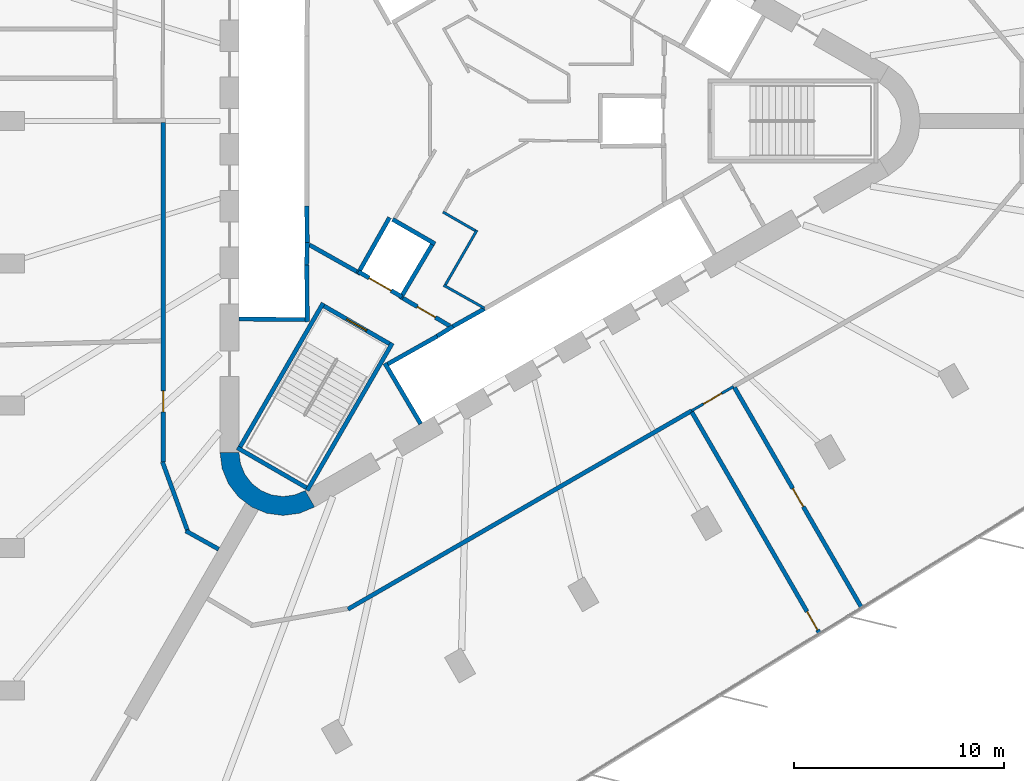
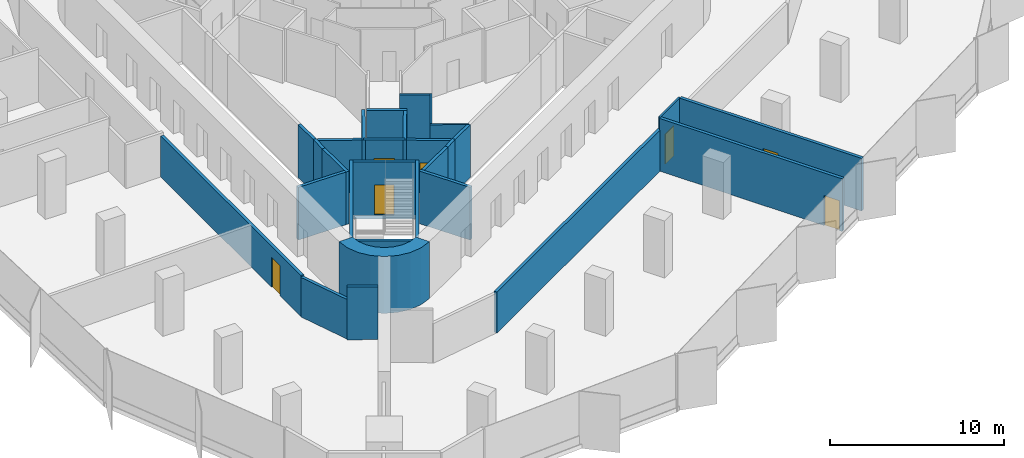
# One storey, part 8 of 14: 29 walls, 7 doors, 7 openings.
"""IFC4 building model written with IfcOpenShell, lengths in metres."""

from ifc_helpers import new_model, si_unit, direction, frame, frame_2d, origin, place, context, subcontext, project, spatial, polyline, rectangle, outline, extrude, material, layer, layer_set, type_object, element, fill, save


model = new_model("IFC4")

# Units and contexts
model_context = context("Model", 3, precision=1e-05, world=origin(), true_north=direction((0.0, 1.0)))
body_context = subcontext(model_context, "Body", "Model", "MODEL_VIEW")
ifc_project = project(units=[si_unit("LENGTHUNIT", "METRE"), si_unit("AREAUNIT", "SQUARE_METRE"), si_unit("VOLUMEUNIT", "CUBIC_METRE"), si_unit("PLANEANGLEUNIT", "RADIAN"), si_unit("MASSUNIT", "GRAM", prefix="KILO")], contexts=[model_context])

# Site, building, storey
site_placement = place(None, origin())
site = spatial("IfcSite", under=ifc_project, at=site_placement, CompositionType="ELEMENT")
building_placement = place(site_placement, origin())
building = spatial("IfcBuilding", under=site, at=building_placement, Name="Tanit Gate Tower", CompositionType="ELEMENT")
storey_placement = place(building_placement, frame((0.0, 0.0, 217.199951171875)))
storey = spatial("IfcBuildingStorey", under=building, at=storey_placement, Name="L48", CompositionType="ELEMENT", Elevation=217.199951171875)

# Walls
ifc_material_1 = material(Name="Concrete C50/60", Category="concrete")
ifc_layer_1 = layer(ifc_material_1, 0.89990234375)
ifc_layer_set_1 = layer_set([ifc_layer_1], Name="CORE WALL 900 C50/60")
wall_type_1 = type_object("IfcWallType", Name="CORE WALL 900 C50/60", PredefinedType="SHEAR", material=ifc_layer_set_1)
wall_1_placement = place(storey_placement, origin())
element("IfcWall", 1, at=wall_1_placement, inside=storey, type_object=wall_type_1, Name="CORE WALL CORNER", PredefinedType="SHEAR", context=body_context, shape_type="SweptSolid", body=[
    extrude(outline(polyline([(-12.10009765625, -15.76171875), (-11.997802734375, -16.5380859375), (-11.697998046875, -17.26171875), (-11.22119140625, -17.883056640625), (-10.60009765625, -18.359619140625), (-9.87646484375, -18.659423828125), (-9.10009765625, -18.76171875), (-8.323486328125, -18.659423828125), (-7.60009765625, -18.359619140625), (-8.050048828125, -17.580322265625), (-8.556396484375, -17.7900390625), (-9.10009765625, -17.86181640625), (-9.6435546875, -17.7900390625), (-10.14990234375, -17.580322265625), (-10.5849609375, -17.24658203125), (-10.918701171875, -16.811767578125), (-11.12841796875, -16.30517578125), (-11.199951171875, -15.76171875), (-12.10009765625, -15.76171875)])), origin(), (0.0, 0.0, 1.0), 4.0),
])
ifc_material_2 = material(Name="Fire-rated gypsum board partition")
ifc_layer_2 = layer(ifc_material_2, 0.199951171875)
ifc_layer_set_2 = layer_set([ifc_layer_2], Name="INT-WALL-COMPARTMENT")
wall_type_2 = type_object("IfcWallType", Name="INT-WALL-COMPARTMENT", PredefinedType="PARTITIONING", material=ifc_layer_set_2)
wall_2_placement = place(storey_placement, frame((-7.84912109375, -5.893798828125, 0.0), z_axis=(0.0, 0.0, 1.0), x_axis=(0.871340486379, -0.490678873396, 0.0)))
element("IfcWall", 2, at=wall_2_placement, inside=storey, type_object=wall_type_2, Name="Wall Compartment W064", PredefinedType="PARTITIONING", context=body_context, shape_type="SweptSolid", body=[
    extrude(rectangle(XDim=2.580810546875, YDim=0.199951171875, at=frame_2d((1.29052734375, 0.0))), origin(), (0.0, 0.0, 1.0), 3.699951171875),
])

# Wall, opening, door
wall_3_placement = place(storey_placement, frame((-3.400634765625, -8.43017578125, 0.0), z_axis=(0.0, 0.0, 1.0), x_axis=(0.860598681535, -0.509283721849, 0.0)))
wall_3 = element("IfcWall", 3, at=wall_3_placement, inside=storey, type_object=wall_type_2, Name="Wall Compartment W065", PredefinedType="PARTITIONING", context=body_context, shape_type="SweptSolid", body=[
    extrude(rectangle(XDim=2.5810546875, YDim=0.199951171875, at=frame_2d((1.29052734375, 0.0))), origin(), (0.0, 0.0, 1.0), 3.699951171875),
])
opening_1_placement = place(wall_3_placement, frame((0.79052734375, 0.0, 0.0)))
opening_1 = element("IfcOpeningElement", 4, at=opening_1_placement, cuts=wall_3, Name="Opening F10-S13-08", PredefinedType="OPENING", context=body_context, shape_type="SweptSolid", body=[
    extrude(rectangle(XDim=1.0, YDim=2.10009765625, at=frame_2d((0.5, 1.050048828125))), frame((0.0, 0.10986328125, 0.0), z_axis=(0.0, -1.0, 0.0), x_axis=(1.0, 0.0, 0.0)), (0.0, 0.0, 1.0), 0.219970703125),
])
ifc_material_3 = material(Name="Fire-rated steel door leaf", Category="steel")
door_type_1 = type_object("IfcDoorType", Name="INT-DOOR-FIRE-1000", OperationType="NOTDEFINED", PredefinedType="USERDEFINED", material=ifc_material_3)
door_1_placement = place(opening_1_placement, origin())
door_1 = element("IfcDoor", 5, at=door_1_placement, inside=storey, type_object=door_type_1, Name="Door F10-S13-08", ObjectType="FIRE DOOR", OperationType="SINGLE_SWING_LEFT", OverallHeight=2.10009765625, OverallWidth=1.0, PredefinedType="USERDEFINED", context=body_context, shape_type="SweptSolid", body=[
    extrude(rectangle(XDim=1.0, YDim=2.10009765625, at=frame_2d((0.5, 1.050048828125))), frame((0.0, 0.02490234375, 0.0), z_axis=(0.0, -1.0, 0.0), x_axis=(1.0, 0.0, 0.0)), (0.0, 0.0, 1.0), 0.050048828125),
])
fill(opening_1, door_1)

# Walls
wall_4_placement = place(storey_placement, frame((-13.722412109375, -19.499267578125, 0.0), z_axis=(0.0, 0.0, 1.0), x_axis=(0.873381780332, -0.487036205824, 0.0)))
element("IfcWall", 6, at=wall_4_placement, inside=storey, type_object=wall_type_2, Name="Wall Compartment W097", PredefinedType="PARTITIONING", context=body_context, shape_type="SweptSolid", body=[
    extrude(rectangle(XDim=1.78466796875, YDim=0.199951171875, at=frame_2d((0.892333984375, 0.0))), origin(), (0.0, 0.0, 1.0), 3.699951171875),
])
wall_5_placement = place(storey_placement, frame((-14.834228515625, -16.22314453125, 0.0), z_axis=(0.0, 0.0, 1.0), x_axis=(0.342017717312, -0.939693503779, 0.0)))
element("IfcWall", 7, at=wall_5_placement, inside=storey, type_object=wall_type_2, Name="Wall Compartment W098", PredefinedType="PARTITIONING", context=body_context, shape_type="SweptSolid", body=[
    extrude(rectangle(XDim=3.4970703125, YDim=0.199951171875, at=frame_2d((1.74853515625, 0.0))), origin(), (0.0, 0.0, 1.0), 2.780029296875),
])

# Wall, opening, door
wall_6_placement = place(storey_placement, frame((-14.800048828125, -0.070068359375, 0.0), z_axis=(0.0, 0.0, 1.0), x_axis=(0.0, -1.0, 0.0)))
wall_6 = element("IfcWall", 8, at=wall_6_placement, inside=storey, type_object=wall_type_2, Name="Wall Compartment W100", PredefinedType="PARTITIONING", context=body_context, shape_type="SweptSolid", body=[
    extrude(rectangle(XDim=16.14697265625, YDim=0.199951171875, at=frame_2d((8.073486328125, 0.0))), origin(), (0.0, 0.0, 1.0), 2.880126953125),
])
opening_2_placement = place(wall_6_placement, frame((12.765380859375, 0.0, 0.0)))
opening_2 = element("IfcOpeningElement", 9, at=opening_2_placement, cuts=wall_6, Name="Opening F10-S13-26", PredefinedType="OPENING", context=body_context, shape_type="SweptSolid", body=[
    extrude(rectangle(XDim=1.0, YDim=2.10009765625, at=frame_2d((0.5, 1.050048828125))), frame((0.0, 0.10986328125, 0.0), z_axis=(0.0, -1.0, 0.0), x_axis=(1.0, 0.0, 0.0)), (0.0, 0.0, 1.0), 0.219970703125),
])
door_2_placement = place(opening_2_placement, origin())
door_2 = element("IfcDoor", 10, at=door_2_placement, inside=storey, type_object=door_type_1, Name="Door F10-S13-26", ObjectType="FIRE DOOR", OperationType="SINGLE_SWING_LEFT", OverallHeight=2.10009765625, OverallWidth=1.0, PredefinedType="USERDEFINED", context=body_context, shape_type="SweptSolid", body=[
    extrude(rectangle(XDim=1.0, YDim=2.10009765625, at=frame_2d((0.5, 1.050048828125))), frame((0.0, 0.02490234375, 0.0), z_axis=(0.0, -1.0, 0.0), x_axis=(1.0, 0.0, 0.0)), (0.0, 0.0, 1.0), 0.050048828125),
])
fill(opening_2, door_2)

# Wall
wall_7_placement = place(storey_placement, frame((-6.018798828125, -23.220458984375, 0.0), z_axis=(0.0, 0.0, 1.0), x_axis=(0.86602143297, 0.50000687759, 0.0)))
element("IfcWall", 11, at=wall_7_placement, inside=storey, type_object=wall_type_2, Name="Wall Compartment W113", PredefinedType="PARTITIONING", context=body_context, shape_type="SweptSolid", body=[
    extrude(rectangle(XDim=18.872802734375, YDim=0.199951171875, at=frame_2d((9.4365234375, 0.0))), origin(), (0.0, 0.0, 1.0), 2.880126953125),
])

# Wall, opening, door
wall_8_placement = place(storey_placement, frame((18.41162109375, -23.149658203125, 0.0), z_axis=(0.0, 0.0, 1.0), x_axis=(-0.500010196161, 0.866019516948, 0.0)))
wall_8 = element("IfcWall", 12, at=wall_8_placement, inside=storey, type_object=wall_type_2, Name="Wall Compartment W134", PredefinedType="PARTITIONING", context=body_context, shape_type="SweptSolid", body=[
    extrude(rectangle(XDim=12.093994140625, YDim=0.199951171875, at=frame_2d((6.046875, 0.0))), origin(), (0.0, 0.0, 1.0), 3.699951171875),
])
opening_3_placement = place(wall_8_placement, frame((5.547119140625, 0.0, 0.0)))
opening_3 = element("IfcOpeningElement", 13, at=opening_3_placement, cuts=wall_8, Name="Opening F10-S13-32", PredefinedType="OPENING", context=body_context, shape_type="SweptSolid", body=[
    extrude(rectangle(XDim=1.0, YDim=2.10009765625, at=frame_2d((0.5, 1.050048828125))), frame((0.0, 0.10986328125, 0.0), z_axis=(0.0, -1.0, 0.0), x_axis=(1.0, 0.0, 0.0)), (0.0, 0.0, 1.0), 0.219970703125),
])
door_3_placement = place(opening_3_placement, origin())
door_3 = element("IfcDoor", 14, at=door_3_placement, inside=storey, type_object=door_type_1, Name="Door F10-S13-32", ObjectType="FIRE DOOR", OperationType="SINGLE_SWING_LEFT", OverallHeight=2.10009765625, OverallWidth=1.0, PredefinedType="USERDEFINED", context=body_context, shape_type="SweptSolid", body=[
    extrude(rectangle(XDim=1.0, YDim=2.10009765625, at=frame_2d((0.5, 1.050048828125))), frame((0.0, 0.02490234375, 0.0), z_axis=(0.0, -1.0, 0.0), x_axis=(1.0, 0.0, 0.0)), (0.0, 0.0, 1.0), 0.050048828125),
])
fill(opening_3, door_3)

wall_9_placement = place(storey_placement, frame((10.338134765625, -13.845947265625, 0.0), z_axis=(0.0, 0.0, 1.0), x_axis=(0.499990787361, -0.866030722639, 0.0)))
wall_9 = element("IfcWall", 15, at=wall_9_placement, inside=storey, type_object=wall_type_2, Name="Wall Compartment W135", PredefinedType="PARTITIONING", context=body_context, shape_type="SweptSolid", body=[
    extrude(rectangle(XDim=12.155029296875, YDim=0.199951171875, at=frame_2d((6.07763671875, 0.0))), origin(), (0.0, 0.0, 1.0), 3.699951171875),
])
opening_4_placement = place(wall_9_placement, frame((10.955078125, 0.0, 0.0)))
opening_4 = element("IfcOpeningElement", 16, at=opening_4_placement, cuts=wall_9, Name="Opening F10-S13-33", PredefinedType="OPENING", context=body_context, shape_type="SweptSolid", body=[
    extrude(rectangle(XDim=1.0, YDim=2.10009765625, at=frame_2d((0.5, 1.050048828125))), frame((0.0, 0.10986328125, 0.0), z_axis=(0.0, -1.0, 0.0), x_axis=(1.0, 0.0, 0.0)), (0.0, 0.0, 1.0), 0.219970703125),
])
door_4_placement = place(opening_4_placement, origin())
door_4 = element("IfcDoor", 17, at=door_4_placement, inside=storey, type_object=door_type_1, Name="Door F10-S13-33", ObjectType="FIRE DOOR", OperationType="SINGLE_SWING_LEFT", OverallHeight=2.10009765625, OverallWidth=1.0, PredefinedType="USERDEFINED", context=body_context, shape_type="SweptSolid", body=[
    extrude(rectangle(XDim=1.0, YDim=2.10009765625, at=frame_2d((0.5, 1.050048828125))), frame((0.0, 0.02490234375, 0.0), z_axis=(0.0, -1.0, 0.0), x_axis=(1.0, 0.0, 0.0)), (0.0, 0.0, 1.0), 0.050048828125),
])
fill(opening_4, door_4)

# Walls
ifc_material_4 = material(Name="Gypsum board partition")
ifc_layer_3 = layer(ifc_material_4, 0.1201171875)
ifc_layer_set_3 = layer_set([ifc_layer_3], Name="INT-WALL-PARTITION")
wall_type_3 = type_object("IfcWallType", Name="INT-WALL-PARTITION", PredefinedType="PARTITIONING", material=ifc_layer_set_3)
wall_10_placement = place(storey_placement, frame((-1.464111328125, -7.81591796875, 0.0), z_axis=(0.0, 0.0, 1.0), x_axis=(0.871880202732, -0.489719217597, 0.0)))
element("IfcWall", 18, at=wall_10_placement, inside=storey, type_object=wall_type_3, Name="Wall Partition W069", PredefinedType="PARTITIONING", context=body_context, shape_type="SweptSolid", body=[
    extrude(rectangle(XDim=2.224365234375, YDim=0.1201171875, at=frame_2d((1.1123046875, 0.0))), origin(), (0.0, 0.0, 1.0), 3.699951171875),
])
wall_11_placement = place(storey_placement, frame((0.1181640625, -5.195068359375, 0.0), z_axis=(0.0, 0.0, 1.0), x_axis=(-0.499990139034, -0.866031096941, 0.0)))
element("IfcWall", 19, at=wall_11_placement, inside=storey, type_object=wall_type_3, Name="Wall Partition W070", PredefinedType="PARTITIONING", context=body_context, shape_type="SweptSolid", body=[
    extrude(rectangle(XDim=3.0, YDim=0.1201171875, at=frame_2d((1.5, 0.0))), origin(), (0.0, 0.0, 1.0), 3.699951171875),
])
wall_12_placement = place(storey_placement, frame((-1.5009765625, -4.32958984375, 0.0), z_axis=(0.0, 0.0, 1.0), x_axis=(0.866059624469, -0.499940723351, 0.0)))
element("IfcWall", 20, at=wall_12_placement, inside=storey, type_object=wall_type_3, Name="Wall Partition W071", PredefinedType="PARTITIONING", context=body_context, shape_type="SweptSolid", body=[
    extrude(rectangle(XDim=1.775146484375, YDim=0.1201171875, at=frame_2d((0.8876953125, 0.0))), origin(), (0.0, 0.0, 1.0), 3.699951171875),
])

# Wall, opening, door
wall_13_placement = place(storey_placement, frame((12.317138671875, -12.634033203125, 0.0), z_axis=(0.0, 0.0, 1.0), x_axis=(-0.86602648383, -0.499998129301, 0.0)))
wall_13 = element("IfcWall", 21, at=wall_13_placement, inside=storey, type_object=wall_type_3, Name="Wall Partition W109", PredefinedType="PARTITIONING", context=body_context, shape_type="SweptSolid", body=[
    extrude(rectangle(XDim=2.2998046875, YDim=0.1201171875, at=frame_2d((1.14990234375, 0.0))), origin(), (0.0, 0.0, 1.0), 3.699951171875),
])
opening_5_placement = place(wall_13_placement, frame((0.64990234375, 0.0, 0.0)))
opening_5 = element("IfcOpeningElement", 22, at=opening_5_placement, cuts=wall_13, Name="Opening D10-S13-21", PredefinedType="OPENING", context=body_context, shape_type="SweptSolid", body=[
    extrude(rectangle(XDim=1.0, YDim=2.10009765625, at=frame_2d((0.5, 1.050048828125))), frame((0.0, 0.070068359375, 0.0), z_axis=(0.0, -1.0, 0.0), x_axis=(1.0, 0.0, 0.0)), (0.0, 0.0, 1.0), 0.14013671875),
])
ifc_material_5 = material(Name="Timber door leaf", Category="wood")
door_type_2 = type_object("IfcDoorType", Name="INT-DOOR-SINGLE-1000", OperationType="NOTDEFINED", PredefinedType="NOTDEFINED", material=ifc_material_5)
door_5_placement = place(opening_5_placement, origin())
door_5 = element("IfcDoor", 23, at=door_5_placement, inside=storey, type_object=door_type_2, Name="Door D10-S13-21", OperationType="SINGLE_SWING_RIGHT", OverallHeight=2.10009765625, OverallWidth=1.0, PredefinedType="NOTDEFINED", context=body_context, shape_type="SweptSolid", body=[
    extrude(rectangle(XDim=1.0, YDim=2.10009765625, at=frame_2d((0.5, 1.050048828125))), frame((0.0, 0.02490234375, 0.0), z_axis=(0.0, -1.0, 0.0), x_axis=(1.0, 0.0, 0.0)), (0.0, 0.0, 1.0), 0.050048828125),
])
fill(opening_5, door_5)

# Walls
ifc_material_6 = material(Name="Gypsum shaft wall system")
ifc_layer_4 = layer(ifc_material_6, 0.199951171875)
ifc_layer_set_4 = layer_set([ifc_layer_4], Name="INT-WALL-SHAFT")
wall_type_4 = type_object("IfcWallType", Name="INT-WALL-SHAFT", PredefinedType="PLUMBINGWALL", material=ifc_layer_set_4)
wall_14_placement = place(storey_placement, frame((-7.949951171875, -5.7724609375, 0.0), z_axis=(0.0, 0.0, 1.0), x_axis=(-0.030803413295, -0.999525462272, 0.0)))
element("IfcWall", 24, at=wall_14_placement, inside=storey, type_object=wall_type_4, Name="Wall Shaft W008", PredefinedType="PLUMBINGWALL", context=body_context, shape_type="SweptSolid", body=[
    extrude(rectangle(XDim=1.077880859375, YDim=0.199951171875, at=frame_2d((0.5390625, 0.0))), origin(), (0.0, 0.0, 1.0), 3.699951171875),
])
wall_15_placement = place(storey_placement, frame((-7.97998046875, -4.050048828125, 0.0), z_axis=(0.0, 0.0, 1.0), x_axis=(0.016809909365, -0.999858703491, 0.0)))
element("IfcWall", 25, at=wall_15_placement, inside=storey, type_object=wall_type_4, Name="Wall Shaft W009", PredefinedType="PLUMBINGWALL", context=body_context, shape_type="SweptSolid", body=[
    extrude(rectangle(XDim=1.844482421875, YDim=0.199951171875, at=frame_2d((0.92236328125, 0.0))), origin(), (0.0, 0.0, 1.0), 3.699951171875),
])
wall_16_placement = place(storey_placement, frame((-7.97900390625, -6.85009765625, 0.0), z_axis=(0.0, 0.0, 1.0), x_axis=(0.011121475088, -0.999938154483, 0.0)))
element("IfcWall", 26, at=wall_16_placement, inside=storey, type_object=wall_type_4, Name="Wall Shaft W010", PredefinedType="PLUMBINGWALL", context=body_context, shape_type="SweptSolid", body=[
    extrude(rectangle(XDim=2.7001953125, YDim=0.199951171875, at=frame_2d((1.35009765625, 0.0))), origin(), (0.0, 0.0, 1.0), 3.699951171875),
])
wall_17_placement = place(storey_placement, frame((-8.050048828125, -9.448974609375, 0.0), z_axis=(0.0, 0.0, 1.0), x_axis=(-0.999957467379, 0.009222983926, 0.0)))
element("IfcWall", 27, at=wall_17_placement, inside=storey, type_object=wall_type_4, Name="Wall Shaft W011", PredefinedType="PLUMBINGWALL", context=body_context, shape_type="SweptSolid", body=[
    extrude(rectangle(XDim=3.150146484375, YDim=0.199951171875, at=frame_2d((1.5751953125, 0.0))), origin(), (0.0, 0.0, 1.0), 3.699951171875),
])
wall_18_placement = place(storey_placement, frame((-2.557861328125, -14.409423828125, 0.0), z_axis=(0.0, 0.0, 1.0), x_axis=(-0.507997497166, 0.861358544901, 0.0)))
element("IfcWall", 28, at=wall_18_placement, inside=storey, type_object=wall_type_4, Name="Wall Shaft W019", PredefinedType="PLUMBINGWALL", context=body_context, shape_type="SweptSolid", body=[
    extrude(rectangle(XDim=3.350341796875, YDim=0.199951171875, at=frame_2d((1.67529296875, 0.0))), origin(), (0.0, 0.0, 1.0), 3.699951171875),
])
wall_19_placement = place(storey_placement, frame((-1.7685546875, -10.23681640625, 0.0), z_axis=(0.0, 0.0, 1.0), x_axis=(-0.871534483978, -0.490334215854, 0.0)))
element("IfcWall", 29, at=wall_19_placement, inside=storey, type_object=wall_type_4, Name="Wall Shaft W020", PredefinedType="PLUMBINGWALL", context=body_context, shape_type="SweptSolid", body=[
    extrude(rectangle(XDim=2.7001953125, YDim=0.199951171875, at=frame_2d((1.35009765625, 0.0))), origin(), (0.0, 0.0, 1.0), 3.699951171875),
])
wall_20_placement = place(storey_placement, frame((-1.02392578125, -9.77099609375, 0.0), z_axis=(0.0, 0.0, 1.0), x_axis=(-0.850348075135, -0.526220629693, 0.0)))
element("IfcWall", 30, at=wall_20_placement, inside=storey, type_object=wall_type_4, Name="Wall Shaft W021", PredefinedType="PLUMBINGWALL", context=body_context, shape_type="SweptSolid", body=[
    extrude(rectangle(XDim=0.878173828125, YDim=0.199951171875, at=frame_2d((0.43896484375, 0.0))), origin(), (0.0, 0.0, 1.0), 3.699951171875),
])
wall_21_placement = place(storey_placement, frame((-1.13037109375, -9.83154296875, 0.0), z_axis=(0.0, 0.0, 1.0), x_axis=(0.871988740738, 0.489525929882, 0.0)))
element("IfcWall", 31, at=wall_21_placement, inside=storey, type_object=wall_type_4, Name="Wall Shaft W022", PredefinedType="PLUMBINGWALL", context=body_context, shape_type="SweptSolid", body=[
    extrude(rectangle(XDim=1.8447265625, YDim=0.199951171875, at=frame_2d((0.92236328125, 0.0))), origin(), (0.0, 0.0, 1.0), 3.699951171875),
])

# Wall, opening, door
wall_22_placement = place(storey_placement, frame((-3.44580078125, -8.3681640625, 0.0), z_axis=(0.0, 0.0, 1.0), x_axis=(-0.866024647952, 0.500001309137, 0.0)))
wall_22 = element("IfcWall", 32, at=wall_22_placement, inside=storey, type_object=wall_type_4, Name="Wall Shaft W045", PredefinedType="PLUMBINGWALL", context=body_context, shape_type="SweptSolid", body=[
    extrude(rectangle(XDim=2.39990234375, YDim=0.199951171875, at=frame_2d((1.199951171875, 0.0))), origin(), (0.0, 0.0, 1.0), 3.699951171875),
])
opening_6_placement = place(wall_22_placement, frame((0.60009765625, 0.0, 0.0)))
opening_6 = element("IfcOpeningElement", 33, at=opening_6_placement, cuts=wall_22, Name="Opening LDFL3-L48", PredefinedType="OPENING", context=body_context, shape_type="SweptSolid", body=[
    extrude(rectangle(XDim=1.199951171875, YDim=2.39990234375, at=frame_2d((0.60009765625, 1.199951171875))), frame((0.0, 0.10986328125, 0.0), z_axis=(0.0, -1.0, 0.0), x_axis=(1.0, 0.0, 0.0)), (0.0, 0.0, 1.0), 0.219970703125),
])
ifc_material_7 = material(Name="Stainless steel sliding door leaf", Category="steel")
door_type_3 = type_object("IfcDoorType", Name="INT-DOOR-LANDING-1200", OperationType="NOTDEFINED", PredefinedType="USERDEFINED", material=ifc_material_7)
door_6_placement = place(opening_6_placement, origin())
door_6 = element("IfcDoor", 34, at=door_6_placement, inside=storey, type_object=door_type_3, Name="Door LDFL3-L48", ObjectType="LANDING DOOR", OperationType="SLIDING_TO_LEFT", OverallHeight=2.39990234375, OverallWidth=1.199951171875, PredefinedType="USERDEFINED", context=body_context, shape_type="SweptSolid", body=[
    extrude(rectangle(XDim=1.199951171875, YDim=2.39990234375, at=frame_2d((0.60009765625, 1.199951171875))), frame((0.0, 0.02490234375, 0.0), z_axis=(0.0, -1.0, 0.0), x_axis=(1.0, 0.0, 0.0)), (0.0, 0.0, 1.0), 0.050048828125),
])
fill(opening_6, door_6)

# Walls
wall_23_placement = place(storey_placement, frame((-5.5625, -7.29638671875, 0.0), z_axis=(0.0, 0.0, 1.0), x_axis=(0.491322718731, 0.870977603649, 0.0)))
element("IfcWall", 35, at=wall_23_placement, inside=storey, type_object=wall_type_4, Name="Wall Shaft W046", PredefinedType="PLUMBINGWALL", context=body_context, shape_type="SweptSolid", body=[
    extrude(rectangle(XDim=3.10009765625, YDim=0.199951171875, at=frame_2d((1.550048828125, 0.0))), origin(), (0.0, 0.0, 1.0), 3.699951171875),
])
wall_24_placement = place(storey_placement, frame((-3.8916015625, -4.681396484375, 0.0), z_axis=(0.0, 0.0, 1.0), x_axis=(0.866009305107, -0.50002788269, 0.0)))
element("IfcWall", 36, at=wall_24_placement, inside=storey, type_object=wall_type_4, Name="Wall Shaft W047", PredefinedType="PLUMBINGWALL", context=body_context, shape_type="SweptSolid", body=[
    extrude(rectangle(XDim=2.329345703125, YDim=0.199951171875, at=frame_2d((1.16455078125, 0.0))), origin(), (0.0, 0.0, 1.0), 3.699951171875),
])
wall_25_placement = place(storey_placement, frame((-2.01171875, -5.88232421875, 0.0), z_axis=(0.0, 0.0, 1.0), x_axis=(-0.508619639323, -0.860991325447, 0.0)))
element("IfcWall", 37, at=wall_25_placement, inside=storey, type_object=wall_type_4, Name="Wall Shaft W048", PredefinedType="PLUMBINGWALL", context=body_context, shape_type="SweptSolid", body=[
    extrude(rectangle(XDim=3.0, YDim=0.199951171875, at=frame_2d((1.5, 0.0))), origin(), (0.0, 0.0, 1.0), 3.699951171875),
])
ifc_material_8 = material(Name="Concrete C40/50", Category="concrete")
ifc_layer_5 = layer(ifc_material_8, 0.199951171875)
ifc_layer_set_5 = layer_set([ifc_layer_5], Name="INT-WALL-STAIR")
wall_type_5 = type_object("IfcWallType", Name="INT-WALL-STAIR", PredefinedType="SHEAR", material=ifc_layer_set_5)
wall_26_placement = place(storey_placement, frame((-3.904541015625, -10.56298828125, -0.300048828125), z_axis=(0.0, 0.0, 1.0), x_axis=(-0.500012932018, -0.866017937352, 0.0)))
element("IfcWall", 38, at=wall_26_placement, inside=storey, type_object=wall_type_5, Name="Wall Stair W041", PredefinedType="SHEAR", context=body_context, shape_type="SweptSolid", body=[
    extrude(rectangle(XDim=8.099853515625, YDim=0.199951171875, at=frame_2d((4.0498046875, 0.0))), origin(), (0.0, 0.0, 1.0), 4.0),
])
wall_27_placement = place(storey_placement, frame((-11.281982421875, -15.541015625, -0.300048828125), z_axis=(0.0, 0.0, 1.0), x_axis=(0.866000483506, -0.500043160704, 0.0)))
element("IfcWall", 39, at=wall_27_placement, inside=storey, type_object=wall_type_5, Name="Wall Stair W042", PredefinedType="SHEAR", context=body_context, shape_type="SweptSolid", body=[
    extrude(rectangle(XDim=3.800048828125, YDim=0.199951171875, at=frame_2d((1.89990234375, 0.0))), origin(), (0.0, 0.0, 1.0), 4.0),
])
wall_28_placement = place(storey_placement, frame((-7.195556640625, -8.662841796875, -0.300048828125), z_axis=(0.0, 0.0, 1.0), x_axis=(-0.499997992926, -0.866026562566, 0.0)))
element("IfcWall", 40, at=wall_28_placement, inside=storey, type_object=wall_type_5, Name="Wall Stair W043", PredefinedType="SHEAR", context=body_context, shape_type="SweptSolid", body=[
    extrude(rectangle(XDim=7.89990234375, YDim=0.199951171875, at=frame_2d((3.949951171875, 0.0))), origin(), (0.0, 0.0, 1.0), 4.0),
])

# Wall, opening, door
wall_29_placement = place(storey_placement, frame((-4.041259765625, -10.599365234375, -0.300048828125), z_axis=(0.0, 0.0, 1.0), x_axis=(-0.866047807691, 0.499961193289, 0.0)))
wall_29 = element("IfcWall", 41, at=wall_29_placement, inside=storey, type_object=wall_type_5, Name="Wall Stair W044", PredefinedType="SHEAR", context=body_context, shape_type="SweptSolid", body=[
    extrude(rectangle(XDim=3.599853515625, YDim=0.199951171875, at=frame_2d((1.7998046875, 0.0))), origin(), (0.0, 0.0, 1.0), 4.0),
])
opening_7_placement = place(wall_29_placement, frame((1.25, 0.0, 0.300048828125)))
opening_7 = element("IfcOpeningElement", 42, at=opening_7_placement, cuts=wall_29, Name="Opening S11-S13-07", PredefinedType="OPENING", context=body_context, shape_type="SweptSolid", body=[
    extrude(rectangle(XDim=1.10009765625, YDim=2.10009765625, at=frame_2d((0.550048828125, 1.050048828125))), frame((0.0, 0.10986328125, 0.0), z_axis=(0.0, -1.0, 0.0), x_axis=(1.0, 0.0, 0.0)), (0.0, 0.0, 1.0), 0.219970703125),
])
ifc_material_9 = material(Name="Timber door leaf", Category="wood")
door_type_4 = type_object("IfcDoorType", Name="INT-DOOR-STAIR-1100", OperationType="NOTDEFINED", PredefinedType="USERDEFINED", material=ifc_material_9)
door_7_placement = place(opening_7_placement, origin())
door_7 = element("IfcDoor", 43, at=door_7_placement, inside=storey, type_object=door_type_4, Name="Door S11-S13-07", ObjectType="FIRE DOOR", OperationType="SINGLE_SWING_LEFT", OverallHeight=2.10009765625, OverallWidth=1.10009765625, PredefinedType="USERDEFINED", context=body_context, shape_type="SweptSolid", body=[
    extrude(rectangle(XDim=1.10009765625, YDim=2.10009765625, at=frame_2d((0.550048828125, 1.050048828125))), frame((0.0, 0.02490234375, 0.0), z_axis=(0.0, -1.0, 0.0), x_axis=(1.0, 0.0, 0.0)), (0.0, 0.0, 1.0), 0.050048828125),
])
fill(opening_7, door_7)

save(model, "model.ifc")
